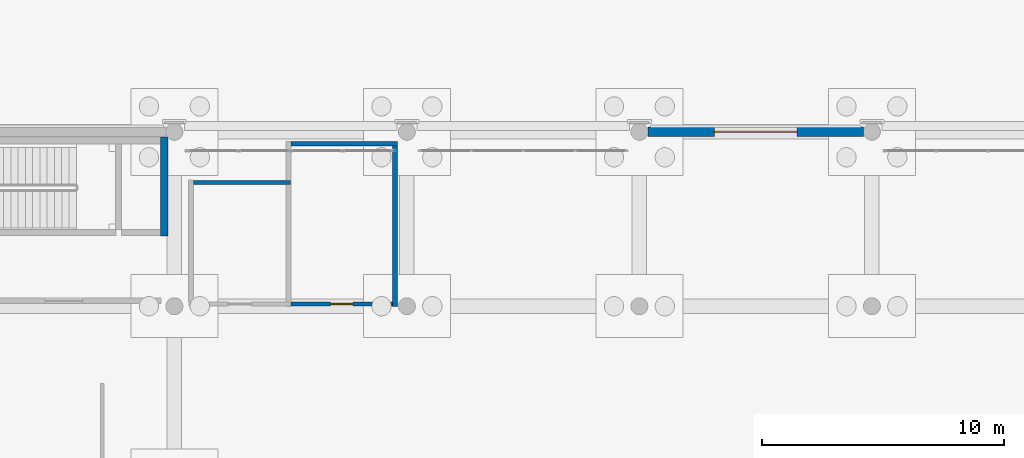
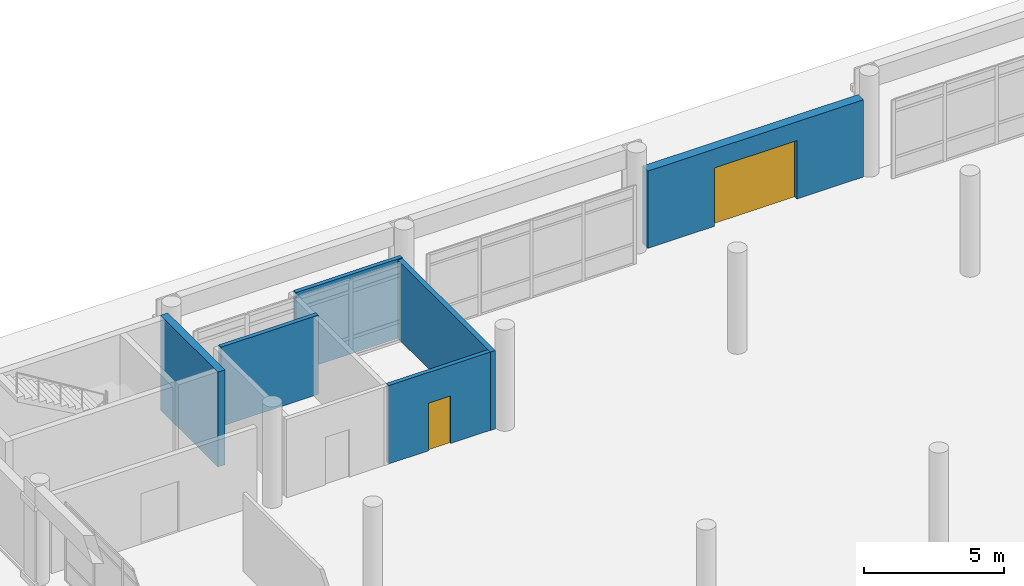
# One storey, part 165 of 196: 6 walls, 2 doors, 2 openings.
"""IFC4 building model written with IfcOpenShell, lengths in metres."""

from ifc_helpers import new_model, si_unit, direction, frame, frame_2d, origin, place, context, subcontext, project, spatial, rectangle, extrude, material, layer, layer_set, type_object, element, fill, save


model = new_model("IFC4")

# Units and contexts
model_context = context("Model", 3, precision=1e-05, world=origin(), true_north=direction((0.0, 1.0)))
body_context = subcontext(model_context, "Body", "Model", "MODEL_VIEW")
ifc_project = project(units=[si_unit("LENGTHUNIT", "METRE"), si_unit("AREAUNIT", "SQUARE_METRE"), si_unit("VOLUMEUNIT", "CUBIC_METRE"), si_unit("PLANEANGLEUNIT", "RADIAN"), si_unit("MASSUNIT", "GRAM", prefix="KILO")], contexts=[model_context])

# Site, building, storey
site_placement = place(None, origin())
site = spatial("IfcSite", under=ifc_project, at=site_placement, CompositionType="ELEMENT")
building_placement = place(site_placement, origin())
building = spatial("IfcBuilding", under=site, at=building_placement, Name="Asteropetra Specialist Clinic", CompositionType="ELEMENT")
storey_placement = place(building_placement, origin())
storey = spatial("IfcBuildingStorey", under=building, at=storey_placement, Name="L00", CompositionType="ELEMENT", Elevation=0.0)

# Wall, opening, door
ifc_material_1 = material(Name="Pentelic marble ashlar", Category="masonry")
ifc_layer_1 = layer(ifc_material_1, 0.3798828125)
ifc_layer_set_1 = layer_set([ifc_layer_1], Name="Pentelic marble ashlar")
wall_type_1 = type_object("IfcWallType", Name="EW-PENTELIC-380", PredefinedType="SOLIDWALL", material=ifc_layer_set_1)
wall_1_placement = place(storey_placement, frame((124.449951171875, 105.60009765625, 0.0), z_axis=(0.0, 0.0, 1.0), x_axis=(-1.0, 0.0, 0.0)))
wall_1 = element("IfcWall", 1, at=wall_1_placement, inside=storey, type_object=wall_type_1, Name="Exterior Wall EW-0004", PredefinedType="SOLIDWALL", context=body_context, shape_type="SweptSolid", body=[
    extrude(rectangle(XDim=8.89990234375, YDim=0.3798828125, at=frame_2d((4.449951171875, 0.0))), origin(), (0.0, 0.0, 1.0), 3.3701171875),
])
opening_1_placement = place(wall_1_placement, frame((2.75, 0.0, 0.0)))
opening_1 = element("IfcOpeningElement", 2, at=opening_1_placement, cuts=wall_1, Name="Opening GD-02", PredefinedType="OPENING", context=body_context, shape_type="SweptSolid", body=[
    extrude(rectangle(XDim=3.39990234375, YDim=2.550048828125, at=frame_2d((1.699951171875, 1.27490234375))), frame((0.0, 0.199951171875, 0.0), z_axis=(0.0, -1.0, 0.0), x_axis=(1.0, 0.0, 0.0)), (0.0, 0.0, 1.0), 0.39990234375),
])
ifc_material_2 = material(Name="Insulated powder-coated steel shutter", Category="steel")
door_type_1 = type_object("IfcDoorType", Name="EDR-LOAD-3400", OperationType="ROLLINGUP", PredefinedType="GATE", material=ifc_material_2)
door_1_placement = place(opening_1_placement, origin())
door_1 = element("IfcDoor", 3, at=door_1_placement, inside=storey, type_object=door_type_1, Name="Exterior Door GD-02", OperationType="ROLLINGUP", OverallHeight=2.550048828125, OverallWidth=3.39990234375, PredefinedType="GATE", context=body_context, shape_type="SweptSolid", body=[
    extrude(rectangle(XDim=3.39990234375, YDim=2.550048828125, at=frame_2d((1.699951171875, 1.27490234375))), frame((0.0, 0.02490234375, 0.0), z_axis=(0.0, -1.0, 0.0), x_axis=(1.0, 0.0, 0.0)), (0.0, 0.0, 1.0), 0.050048828125),
])
fill(opening_1, door_1)

# Walls
ifc_material_3 = material(Name="Concrete C35/45", Category="concrete")
ifc_layer_2 = layer(ifc_material_3, 0.300048828125)
ifc_layer_set_2 = layer_set([ifc_layer_2], Name="Concrete C35/45")
wall_type_2 = type_object("IfcWallType", Name="W-CORE-300", PredefinedType="SHEAR", material=ifc_layer_set_2)
wall_2_placement = place(storey_placement, frame((95.580078125, 101.2900390625, 0.0), z_axis=(0.0, 0.0, 1.0), x_axis=(0.0, 1.0, 0.0)))
element("IfcWall", 4, at=wall_2_placement, inside=storey, type_object=wall_type_2, Name="Core Wall CW-C11-L00-E", PredefinedType="SHEAR", context=body_context, shape_type="SweptSolid", body=[
    extrude(rectangle(XDim=4.099853515625, YDim=0.300048828125, at=frame_2d((2.0498046875, 0.0))), origin(), (0.0, 0.0, 1.0), 4.139892578125),
])
ifc_material_4 = material(Name="En-suite plumbing wall", Category="masonry")
ifc_layer_3 = layer(ifc_material_4, 0.169921875)
ifc_layer_set_3 = layer_set([ifc_layer_3], Name="En-suite plumbing wall")
wall_type_3 = type_object("IfcWallType", Name="W-PLUMB-170", PredefinedType="PLUMBINGWALL", material=ifc_layer_set_3)
wall_3_placement = place(storey_placement, frame((96.7919921875, 103.510009765625, 0.0), z_axis=(0.0, 0.0, 1.0), x_axis=(1.0, 0.0, 0.0)))
element("IfcWall", 5, at=wall_3_placement, inside=storey, type_object=wall_type_3, Name="Interior Partition PW-0015", PredefinedType="PLUMBINGWALL", context=body_context, shape_type="SweptSolid", body=[
    extrude(rectangle(XDim=4.012939453125, YDim=0.169921875, at=frame_2d((2.00634765625, 0.0))), origin(), (0.0, 0.0, 1.0), 3.4599609375),
])
wall_4_placement = place(storey_placement, frame((100.81201171875, 105.110107421875, 0.0), z_axis=(0.0, 0.0, 1.0), x_axis=(1.0, 0.0, 0.0)))
element("IfcWall", 6, at=wall_4_placement, inside=storey, type_object=wall_type_3, Name="Interior Partition PW-0017", PredefinedType="PLUMBINGWALL", context=body_context, shape_type="SweptSolid", body=[
    extrude(rectangle(XDim=4.39306640625, YDim=0.169921875, at=frame_2d((2.196533203125, 0.0))), origin(), (0.0, 0.0, 1.0), 3.4599609375),
])

# Wall, opening, door
wall_5_placement = place(storey_placement, frame((100.81201171875, 98.489990234375, 0.0), z_axis=(0.0, 0.0, 1.0), x_axis=(1.0, 0.0, 0.0)))
wall_5 = element("IfcWall", 7, at=wall_5_placement, inside=storey, type_object=wall_type_3, Name="Interior Partition PW-0019", PredefinedType="PLUMBINGWALL", context=body_context, shape_type="SweptSolid", body=[
    extrude(rectangle(XDim=4.196044921875, YDim=0.169921875, at=frame_2d((2.09814453125, 0.0))), origin(), (0.0, 0.0, 1.0), 3.419921875),
])
opening_2_placement = place(wall_5_placement, frame((1.637939453125, 0.0, 0.0)))
opening_2 = element("IfcOpeningElement", 8, at=opening_2_placement, cuts=wall_5, Name="Opening ID-0009", PredefinedType="OPENING", context=body_context, shape_type="SweptSolid", body=[
    extrude(rectangle(XDim=0.919921875, YDim=2.080078125, at=frame_2d((0.4599609375, 1.0400390625))), frame((0.0, 0.094970703125, 0.0), z_axis=(0.0, -1.0, 0.0), x_axis=(1.0, 0.0, 0.0)), (0.0, 0.0, 1.0), 0.18994140625),
])
ifc_material_5 = material(Name="Antimicrobial laminate timber leaf in steel frame", Category="steel")
door_type_2 = type_object("IfcDoorType", Name="ID-WC-0920", OperationType="NOTDEFINED", PredefinedType="DOOR", material=ifc_material_5)
door_2_placement = place(opening_2_placement, origin())
door_2 = element("IfcDoor", 9, at=door_2_placement, inside=storey, type_object=door_type_2, Name="Interior Door ID-0009", OperationType="SINGLE_SWING_LEFT", OverallHeight=2.080078125, OverallWidth=0.919921875, PredefinedType="DOOR", context=body_context, shape_type="SweptSolid", body=[
    extrude(rectangle(XDim=0.919921875, YDim=2.080078125, at=frame_2d((0.4599609375, 1.0400390625))), frame((0.0, 0.02490234375, 0.0), z_axis=(0.0, -1.0, 0.0), x_axis=(1.0, 0.0, 0.0)), (0.0, 0.0, 1.0), 0.050048828125),
])
fill(opening_2, door_2)

# Wall
ifc_material_6 = material(Name="Sanitary service-chase wall", Category="masonry")
ifc_layer_4 = layer(ifc_material_6, 0.199951171875)
ifc_layer_set_4 = layer_set([ifc_layer_4], Name="Sanitary service-chase wall")
wall_type_4 = type_object("IfcWallType", Name="W-PLUMB-200", PredefinedType="PLUMBINGWALL", material=ifc_layer_set_4)
wall_6_placement = place(storey_placement, frame((105.110107421875, 98.39501953125, 0.0), z_axis=(0.0, 0.0, 1.0), x_axis=(0.0, 1.0, 0.0)))
element("IfcWall", 10, at=wall_6_placement, inside=storey, type_object=wall_type_4, Name="Interior Partition PW-0018", PredefinedType="PLUMBINGWALL", context=body_context, shape_type="SweptSolid", body=[
    extrude(rectangle(XDim=6.6279296875, YDim=0.199951171875, at=frame_2d((3.31396484375, 0.0))), origin(), (0.0, 0.0, 1.0), 3.419921875),
])

save(model, "model.ifc")
